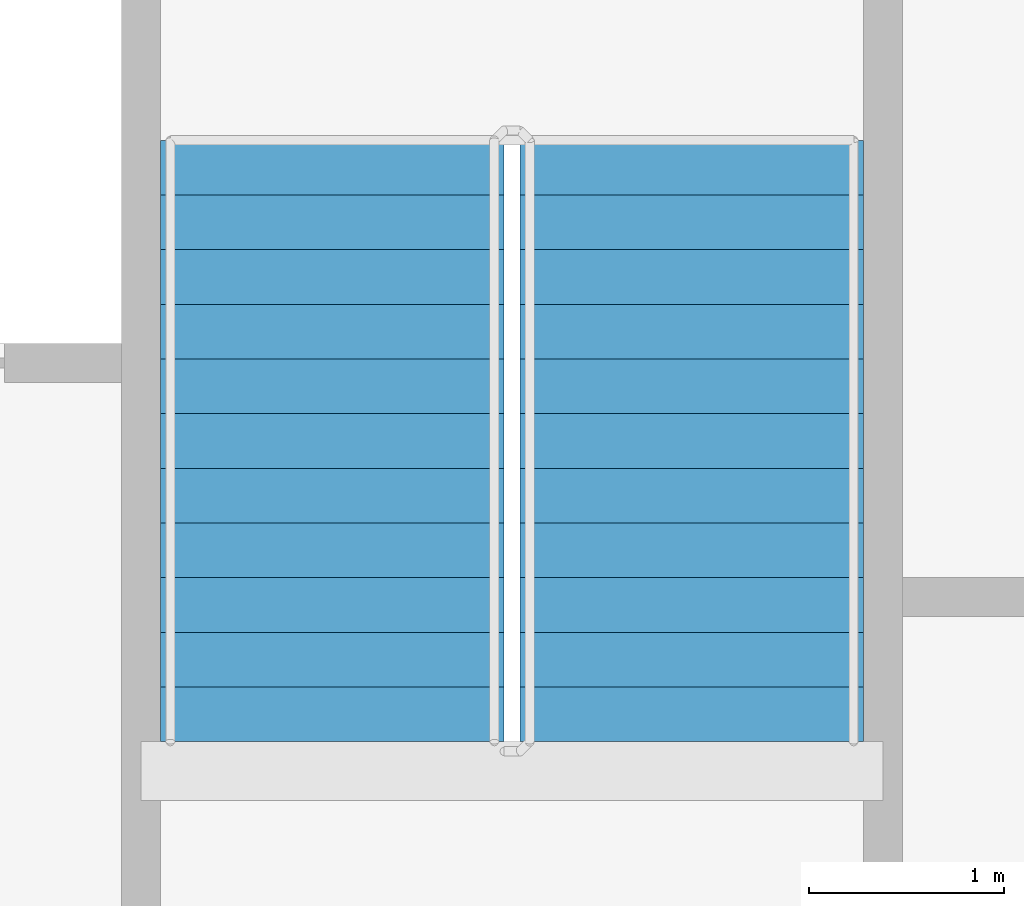
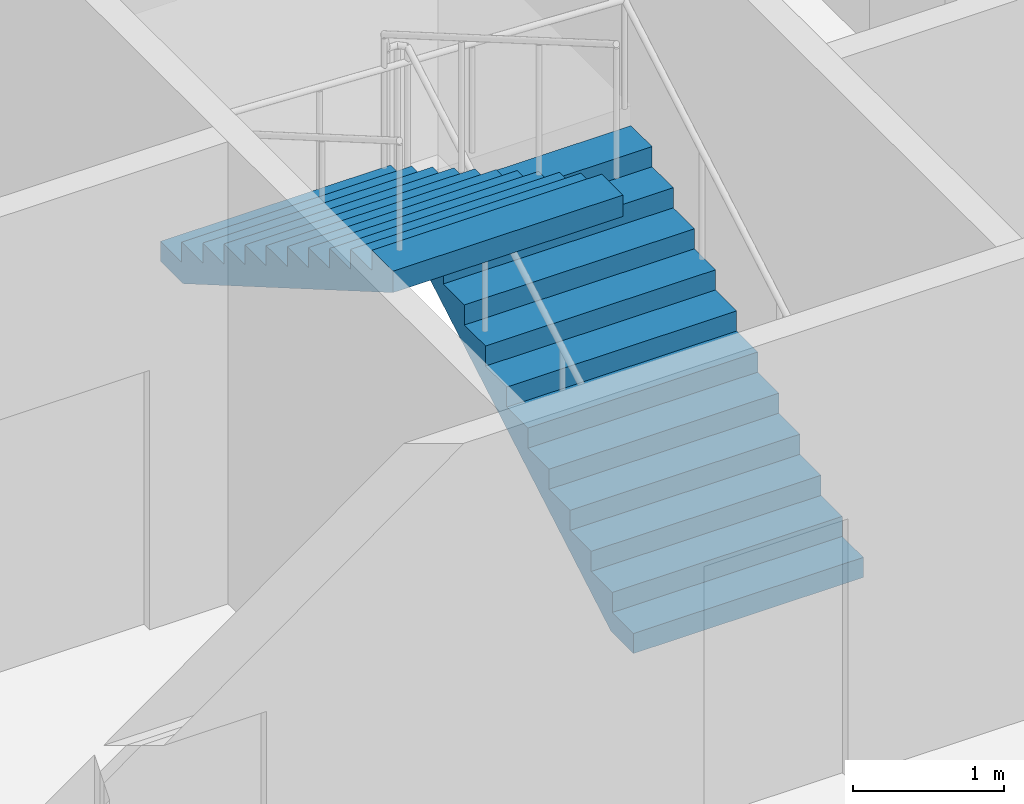
# One storey, part 10 of 15: 2 stair flights, 1 element without a shape of its own.
"""IFC4 building model written with IfcOpenShell, lengths in metres."""

from ifc_helpers import new_model, si_unit, direction, frame, origin, place, context, subcontext, project, spatial, faceted_brep, material, type_object, element, aggregate, save


model = new_model("IFC4")

# Units and contexts
model_context = context("Model", 3, precision=1e-05, world=origin(), true_north=direction((0.0, 1.0)))
body_context = subcontext(model_context, "Body", "Model", "MODEL_VIEW")
ifc_project = project(units=[si_unit("LENGTHUNIT", "METRE"), si_unit("AREAUNIT", "SQUARE_METRE"), si_unit("VOLUMEUNIT", "CUBIC_METRE"), si_unit("PLANEANGLEUNIT", "RADIAN"), si_unit("MASSUNIT", "GRAM", prefix="KILO")], contexts=[model_context])

# Site, building, storey
site_placement = place(None, origin())
site = spatial("IfcSite", under=ifc_project, at=site_placement, CompositionType="ELEMENT")
building_placement = place(site_placement, origin())
building = spatial("IfcBuilding", under=site, at=building_placement, Name="Tarsis Ring Headquarters", CompositionType="ELEMENT")
storey_placement = place(building_placement, frame((0.0, 0.0, 212.10009765625)))
storey = spatial("IfcBuildingStorey", under=building, at=storey_placement, Name="L49", CompositionType="ELEMENT", Elevation=212.10009765625)

# Stair, stair flights
ifc_material_1 = material(Name="Core stair 1760")
stair_type = type_object("IfcStairType", Name="Core stair 1760", PredefinedType="HALF_TURN_STAIR", material=ifc_material_1)
stair_placement = place(storey_placement, origin())
stair = element("IfcStair", 1, at=stair_placement, inside=storey, type_object=stair_type, Name="L49 Exit stair B", PredefinedType="HALF_TURN_STAIR")
ifc_material_2 = material(Name="Concrete C40/50", Category="concrete")
stair_flight_type = type_object("IfcStairFlightType", Name="Core stair flight 1760", PredefinedType="STRAIGHT", material=ifc_material_2)
stair_flight_1_placement = place(storey_placement, frame((5.419921875, 3.659912109375, 0.0), z_axis=(0.0, 0.0, 1.0), x_axis=(0.0, 1.0, 0.0)))
stair_flight_1 = element("IfcStairFlight", 2, at=stair_flight_1_placement, type_object=stair_flight_type, Name="Stair ST2 flight 1", NumberOfRisers=12, NumberOfTreads=11, PredefinedType="STRAIGHT", RiserHeight=0.1625, TreadLength=0.28, context=body_context, shape_type="Brep", body=[
    faceted_brep([(0.0, 0.8798828125, 0.0), (0.0, 0.8798828125, 0.16259765625), (0.280029296875, 0.8798828125, 0.16259765625), (0.280029296875, 0.8798828125, 0.324951171875), (0.56005859375, 0.8798828125, 0.324951171875), (0.56005859375, 0.8798828125, 0.487548828125), (0.840087890625, 0.8798828125, 0.487548828125), (0.840087890625, 0.8798828125, 0.64990234375), (1.1201171875, 0.8798828125, 0.64990234375), (1.1201171875, 0.8798828125, 0.8125), (1.39990234375, 0.8798828125, 0.8125), (1.39990234375, 0.8798828125, 0.97509765625), (1.679931640625, 0.8798828125, 0.97509765625), (1.679931640625, 0.8798828125, 1.137451171875), (1.9599609375, 0.8798828125, 1.137451171875), (1.9599609375, 0.8798828125, 1.300048828125), (2.239990234375, 0.8798828125, 1.300048828125), (2.239990234375, 0.8798828125, 1.46240234375), (2.52001953125, 0.8798828125, 1.46240234375), (2.52001953125, 0.8798828125, 1.625), (2.800048828125, 0.8798828125, 1.625), (2.800048828125, 0.8798828125, 1.78759765625), (3.080078125, 0.8798828125, 1.78759765625), (3.080078125, 0.8798828125, 1.6142578125), (0.298583984375, 0.8798828125, 0.0), (0.298583984375, -0.8798828125, 0.0), (3.080078125, -0.8798828125, 1.6142578125), (3.080078125, -0.8798828125, 1.78759765625), (2.800048828125, -0.8798828125, 1.78759765625), (2.800048828125, -0.8798828125, 1.625), (2.52001953125, -0.8798828125, 1.625), (2.52001953125, -0.8798828125, 1.46240234375), (2.239990234375, -0.8798828125, 1.46240234375), (2.239990234375, -0.8798828125, 1.300048828125), (1.9599609375, -0.8798828125, 1.300048828125), (1.9599609375, -0.8798828125, 1.137451171875), (1.679931640625, -0.8798828125, 1.137451171875), (1.679931640625, -0.8798828125, 0.97509765625), (1.39990234375, -0.8798828125, 0.97509765625), (1.39990234375, -0.8798828125, 0.8125), (1.1201171875, -0.8798828125, 0.8125), (1.1201171875, -0.8798828125, 0.64990234375), (0.840087890625, -0.8798828125, 0.64990234375), (0.840087890625, -0.8798828125, 0.487548828125), (0.56005859375, -0.8798828125, 0.487548828125), (0.56005859375, -0.8798828125, 0.324951171875), (0.280029296875, -0.8798828125, 0.324951171875), (0.280029296875, -0.8798828125, 0.16259765625), (0.0, -0.8798828125, 0.16259765625), (0.0, -0.8798828125, 0.0), (0.0, -0.43994140625, 0.16259765625), (0.0, -0.43994140625, 0.0), (0.0, 0.0, 0.16259765625), (0.0, 0.0, 0.0), (0.0, 0.43994140625, 0.16259765625), (0.0, 0.43994140625, 0.0), (0.280029296875, -0.43994140625, 0.16259765625), (0.280029296875, 0.0, 0.16259765625), (0.280029296875, 0.43994140625, 0.16259765625), (0.280029296875, -0.43994140625, 0.324951171875), (0.280029296875, 0.0, 0.324951171875), (0.280029296875, 0.43994140625, 0.324951171875), (0.56005859375, -0.43994140625, 0.324951171875), (0.56005859375, 0.0, 0.324951171875), (0.56005859375, 0.43994140625, 0.324951171875), (0.56005859375, -0.43994140625, 0.487548828125), (0.56005859375, 0.0, 0.487548828125), (0.56005859375, 0.43994140625, 0.487548828125), (0.840087890625, -0.43994140625, 0.487548828125), (0.840087890625, 0.0, 0.487548828125), (0.840087890625, 0.43994140625, 0.487548828125), (0.840087890625, -0.43994140625, 0.64990234375), (0.840087890625, 0.0, 0.64990234375), (0.840087890625, 0.43994140625, 0.64990234375), (1.1201171875, -0.43994140625, 0.64990234375), (1.1201171875, 0.0, 0.64990234375), (1.1201171875, 0.43994140625, 0.64990234375), (1.1201171875, -0.43994140625, 0.8125), (1.1201171875, 0.0, 0.8125), (1.1201171875, 0.43994140625, 0.8125), (1.39990234375, -0.43994140625, 0.8125), (1.39990234375, 0.0, 0.8125), (1.39990234375, 0.43994140625, 0.8125), (1.39990234375, -0.43994140625, 0.97509765625), (1.39990234375, 0.0, 0.97509765625), (1.39990234375, 0.43994140625, 0.97509765625), (1.679931640625, -0.43994140625, 0.97509765625), (1.679931640625, 0.0, 0.97509765625), (1.679931640625, 0.43994140625, 0.97509765625), (1.679931640625, -0.43994140625, 1.137451171875), (1.679931640625, 0.0, 1.137451171875), (1.679931640625, 0.43994140625, 1.137451171875), (1.9599609375, -0.43994140625, 1.137451171875), (1.9599609375, 0.0, 1.137451171875), (1.9599609375, 0.43994140625, 1.137451171875), (1.9599609375, -0.43994140625, 1.300048828125), (1.9599609375, 0.0, 1.300048828125), (1.9599609375, 0.43994140625, 1.300048828125), (2.239990234375, -0.43994140625, 1.300048828125), (2.239990234375, 0.0, 1.300048828125), (2.239990234375, 0.43994140625, 1.300048828125), (2.239990234375, -0.43994140625, 1.46240234375), (2.239990234375, 0.0, 1.46240234375), (2.239990234375, 0.43994140625, 1.46240234375), (2.52001953125, -0.43994140625, 1.46240234375), (2.52001953125, 0.0, 1.46240234375), (2.52001953125, 0.43994140625, 1.46240234375), (2.52001953125, -0.43994140625, 1.625), (2.52001953125, 0.0, 1.625), (2.52001953125, 0.43994140625, 1.625), (2.800048828125, -0.43994140625, 1.625), (2.800048828125, 0.0, 1.625), (2.800048828125, 0.43994140625, 1.625), (2.800048828125, -0.43994140625, 1.78759765625), (2.800048828125, 0.0, 1.78759765625), (2.800048828125, 0.43994140625, 1.78759765625), (3.080078125, -0.43994140625, 1.78759765625), (3.080078125, 0.0, 1.78759765625), (3.080078125, 0.43994140625, 1.78759765625), (3.080078125, -0.43994140625, 1.6142578125), (3.080078125, 0.0, 1.6142578125), (3.080078125, 0.43994140625, 1.6142578125), (0.298583984375, -0.43994140625, 0.0), (0.298583984375, 0.0, 0.0), (0.298583984375, 0.43994140625, 0.0)], [[[0, 1, 2, 3, 4, 5, 6, 7, 8, 9, 10, 11, 12, 13, 14, 15, 16, 17, 18, 19, 20, 21, 22, 23, 24]], [[25, 26, 27, 28, 29, 30, 31, 32, 33, 34, 35, 36, 37, 38, 39, 40, 41, 42, 43, 44, 45, 46, 47, 48, 49]], [[49, 48, 50, 51]], [[51, 50, 52, 53]], [[53, 52, 54, 55]], [[55, 54, 1, 0]], [[48, 47, 56, 50]], [[50, 56, 57, 52]], [[52, 57, 58, 54]], [[54, 58, 2, 1]], [[47, 46, 59, 56]], [[56, 59, 60, 57]], [[57, 60, 61, 58]], [[58, 61, 3, 2]], [[46, 45, 62, 59]], [[59, 62, 63, 60]], [[60, 63, 64, 61]], [[61, 64, 4, 3]], [[45, 44, 65, 62]], [[62, 65, 66, 63]], [[63, 66, 67, 64]], [[64, 67, 5, 4]], [[44, 43, 68, 65]], [[65, 68, 69, 66]], [[66, 69, 70, 67]], [[67, 70, 6, 5]], [[43, 42, 71, 68]], [[68, 71, 72, 69]], [[69, 72, 73, 70]], [[70, 73, 7, 6]], [[42, 41, 74, 71]], [[71, 74, 75, 72]], [[72, 75, 76, 73]], [[73, 76, 8, 7]], [[41, 40, 77, 74]], [[74, 77, 78, 75]], [[75, 78, 79, 76]], [[76, 79, 9, 8]], [[40, 39, 80, 77]], [[77, 80, 81, 78]], [[78, 81, 82, 79]], [[79, 82, 10, 9]], [[39, 38, 83, 80]], [[80, 83, 84, 81]], [[81, 84, 85, 82]], [[82, 85, 11, 10]], [[38, 37, 86, 83]], [[83, 86, 87, 84]], [[84, 87, 88, 85]], [[85, 88, 12, 11]], [[37, 36, 89, 86]], [[86, 89, 90, 87]], [[87, 90, 91, 88]], [[88, 91, 13, 12]], [[36, 35, 92, 89]], [[89, 92, 93, 90]], [[90, 93, 94, 91]], [[91, 94, 14, 13]], [[35, 34, 95, 92]], [[92, 95, 96, 93]], [[93, 96, 97, 94]], [[94, 97, 15, 14]], [[34, 33, 98, 95]], [[95, 98, 99, 96]], [[96, 99, 100, 97]], [[97, 100, 16, 15]], [[33, 32, 101, 98]], [[98, 101, 102, 99]], [[99, 102, 103, 100]], [[100, 103, 17, 16]], [[32, 31, 104, 101]], [[101, 104, 105, 102]], [[102, 105, 106, 103]], [[103, 106, 18, 17]], [[31, 30, 107, 104]], [[104, 107, 108, 105]], [[105, 108, 109, 106]], [[106, 109, 19, 18]], [[30, 29, 110, 107]], [[107, 110, 111, 108]], [[108, 111, 112, 109]], [[109, 112, 20, 19]], [[29, 28, 113, 110]], [[110, 113, 114, 111]], [[111, 114, 115, 112]], [[112, 115, 21, 20]], [[28, 27, 116, 113]], [[113, 116, 117, 114]], [[114, 117, 118, 115]], [[115, 118, 22, 21]], [[27, 26, 119, 116]], [[116, 119, 120, 117]], [[117, 120, 121, 118]], [[118, 121, 23, 22]], [[26, 25, 122, 119]], [[119, 122, 123, 120]], [[120, 123, 124, 121]], [[121, 124, 24, 23]], [[25, 49, 51, 122]], [[122, 51, 53, 123]], [[123, 53, 55, 124]], [[124, 55, 0, 24]]]),
])
stair_flight_2_placement = place(storey_placement, frame((3.580078125, 6.739990234375, 1.949951171875), z_axis=(0.0, 0.0, 1.0), x_axis=(0.0, -1.0, 0.0)))
stair_flight_2 = element("IfcStairFlight", 3, at=stair_flight_2_placement, type_object=stair_flight_type, Name="Stair ST2 flight 2", NumberOfRisers=12, NumberOfTreads=11, PredefinedType="STRAIGHT", RiserHeight=0.1625, TreadLength=0.28, context=body_context, shape_type="Brep", body=[
    faceted_brep([(0.0, 0.8798828125, 0.0), (0.0, 0.8798828125, 0.16259765625), (0.280029296875, 0.8798828125, 0.16259765625), (0.280029296875, 0.8798828125, 0.324951171875), (0.56005859375, 0.8798828125, 0.324951171875), (0.56005859375, 0.8798828125, 0.487548828125), (0.840087890625, 0.8798828125, 0.487548828125), (0.840087890625, 0.8798828125, 0.64990234375), (1.1201171875, 0.8798828125, 0.64990234375), (1.1201171875, 0.8798828125, 0.8125), (1.39990234375, 0.8798828125, 0.8125), (1.39990234375, 0.8798828125, 0.97509765625), (1.679931640625, 0.8798828125, 0.97509765625), (1.679931640625, 0.8798828125, 1.137451171875), (1.9599609375, 0.8798828125, 1.137451171875), (1.9599609375, 0.8798828125, 1.300048828125), (2.239990234375, 0.8798828125, 1.300048828125), (2.239990234375, 0.8798828125, 1.46240234375), (2.52001953125, 0.8798828125, 1.46240234375), (2.52001953125, 0.8798828125, 1.625), (2.800048828125, 0.8798828125, 1.625), (2.800048828125, 0.8798828125, 1.78759765625), (3.080078125, 0.8798828125, 1.78759765625), (3.080078125, 0.8798828125, 1.6142578125), (0.298583984375, 0.8798828125, 0.0), (0.298583984375, -0.8798828125, 0.0), (3.080078125, -0.8798828125, 1.6142578125), (3.080078125, -0.8798828125, 1.78759765625), (2.800048828125, -0.8798828125, 1.78759765625), (2.800048828125, -0.8798828125, 1.625), (2.52001953125, -0.8798828125, 1.625), (2.52001953125, -0.8798828125, 1.46240234375), (2.239990234375, -0.8798828125, 1.46240234375), (2.239990234375, -0.8798828125, 1.300048828125), (1.9599609375, -0.8798828125, 1.300048828125), (1.9599609375, -0.8798828125, 1.137451171875), (1.679931640625, -0.8798828125, 1.137451171875), (1.679931640625, -0.8798828125, 0.97509765625), (1.39990234375, -0.8798828125, 0.97509765625), (1.39990234375, -0.8798828125, 0.8125), (1.1201171875, -0.8798828125, 0.8125), (1.1201171875, -0.8798828125, 0.64990234375), (0.840087890625, -0.8798828125, 0.64990234375), (0.840087890625, -0.8798828125, 0.487548828125), (0.56005859375, -0.8798828125, 0.487548828125), (0.56005859375, -0.8798828125, 0.324951171875), (0.280029296875, -0.8798828125, 0.324951171875), (0.280029296875, -0.8798828125, 0.16259765625), (0.0, -0.8798828125, 0.16259765625), (0.0, -0.8798828125, 0.0), (0.0, -0.43994140625, 0.16259765625), (0.0, -0.43994140625, 0.0), (0.0, 0.0, 0.16259765625), (0.0, 0.0, 0.0), (0.0, 0.43994140625, 0.16259765625), (0.0, 0.43994140625, 0.0), (0.280029296875, -0.43994140625, 0.16259765625), (0.280029296875, 0.0, 0.16259765625), (0.280029296875, 0.43994140625, 0.16259765625), (0.280029296875, -0.43994140625, 0.324951171875), (0.280029296875, 0.0, 0.324951171875), (0.280029296875, 0.43994140625, 0.324951171875), (0.56005859375, -0.43994140625, 0.324951171875), (0.56005859375, 0.0, 0.324951171875), (0.56005859375, 0.43994140625, 0.324951171875), (0.56005859375, -0.43994140625, 0.487548828125), (0.56005859375, 0.0, 0.487548828125), (0.56005859375, 0.43994140625, 0.487548828125), (0.840087890625, -0.43994140625, 0.487548828125), (0.840087890625, 0.0, 0.487548828125), (0.840087890625, 0.43994140625, 0.487548828125), (0.840087890625, -0.43994140625, 0.64990234375), (0.840087890625, 0.0, 0.64990234375), (0.840087890625, 0.43994140625, 0.64990234375), (1.1201171875, -0.43994140625, 0.64990234375), (1.1201171875, 0.0, 0.64990234375), (1.1201171875, 0.43994140625, 0.64990234375), (1.1201171875, -0.43994140625, 0.8125), (1.1201171875, 0.0, 0.8125), (1.1201171875, 0.43994140625, 0.8125), (1.39990234375, -0.43994140625, 0.8125), (1.39990234375, 0.0, 0.8125), (1.39990234375, 0.43994140625, 0.8125), (1.39990234375, -0.43994140625, 0.97509765625), (1.39990234375, 0.0, 0.97509765625), (1.39990234375, 0.43994140625, 0.97509765625), (1.679931640625, -0.43994140625, 0.97509765625), (1.679931640625, 0.0, 0.97509765625), (1.679931640625, 0.43994140625, 0.97509765625), (1.679931640625, -0.43994140625, 1.137451171875), (1.679931640625, 0.0, 1.137451171875), (1.679931640625, 0.43994140625, 1.137451171875), (1.9599609375, -0.43994140625, 1.137451171875), (1.9599609375, 0.0, 1.137451171875), (1.9599609375, 0.43994140625, 1.137451171875), (1.9599609375, -0.43994140625, 1.300048828125), (1.9599609375, 0.0, 1.300048828125), (1.9599609375, 0.43994140625, 1.300048828125), (2.239990234375, -0.43994140625, 1.300048828125), (2.239990234375, 0.0, 1.300048828125), (2.239990234375, 0.43994140625, 1.300048828125), (2.239990234375, -0.43994140625, 1.46240234375), (2.239990234375, 0.0, 1.46240234375), (2.239990234375, 0.43994140625, 1.46240234375), (2.52001953125, -0.43994140625, 1.46240234375), (2.52001953125, 0.0, 1.46240234375), (2.52001953125, 0.43994140625, 1.46240234375), (2.52001953125, -0.43994140625, 1.625), (2.52001953125, 0.0, 1.625), (2.52001953125, 0.43994140625, 1.625), (2.800048828125, -0.43994140625, 1.625), (2.800048828125, 0.0, 1.625), (2.800048828125, 0.43994140625, 1.625), (2.800048828125, -0.43994140625, 1.78759765625), (2.800048828125, 0.0, 1.78759765625), (2.800048828125, 0.43994140625, 1.78759765625), (3.080078125, -0.43994140625, 1.78759765625), (3.080078125, 0.0, 1.78759765625), (3.080078125, 0.43994140625, 1.78759765625), (3.080078125, -0.43994140625, 1.6142578125), (3.080078125, 0.0, 1.6142578125), (3.080078125, 0.43994140625, 1.6142578125), (0.298583984375, -0.43994140625, 0.0), (0.298583984375, 0.0, 0.0), (0.298583984375, 0.43994140625, 0.0)], [[[0, 1, 2, 3, 4, 5, 6, 7, 8, 9, 10, 11, 12, 13, 14, 15, 16, 17, 18, 19, 20, 21, 22, 23, 24]], [[25, 26, 27, 28, 29, 30, 31, 32, 33, 34, 35, 36, 37, 38, 39, 40, 41, 42, 43, 44, 45, 46, 47, 48, 49]], [[49, 48, 50, 51]], [[51, 50, 52, 53]], [[53, 52, 54, 55]], [[55, 54, 1, 0]], [[48, 47, 56, 50]], [[50, 56, 57, 52]], [[52, 57, 58, 54]], [[54, 58, 2, 1]], [[47, 46, 59, 56]], [[56, 59, 60, 57]], [[57, 60, 61, 58]], [[58, 61, 3, 2]], [[46, 45, 62, 59]], [[59, 62, 63, 60]], [[60, 63, 64, 61]], [[61, 64, 4, 3]], [[45, 44, 65, 62]], [[62, 65, 66, 63]], [[63, 66, 67, 64]], [[64, 67, 5, 4]], [[44, 43, 68, 65]], [[65, 68, 69, 66]], [[66, 69, 70, 67]], [[67, 70, 6, 5]], [[43, 42, 71, 68]], [[68, 71, 72, 69]], [[69, 72, 73, 70]], [[70, 73, 7, 6]], [[42, 41, 74, 71]], [[71, 74, 75, 72]], [[72, 75, 76, 73]], [[73, 76, 8, 7]], [[41, 40, 77, 74]], [[74, 77, 78, 75]], [[75, 78, 79, 76]], [[76, 79, 9, 8]], [[40, 39, 80, 77]], [[77, 80, 81, 78]], [[78, 81, 82, 79]], [[79, 82, 10, 9]], [[39, 38, 83, 80]], [[80, 83, 84, 81]], [[81, 84, 85, 82]], [[82, 85, 11, 10]], [[38, 37, 86, 83]], [[83, 86, 87, 84]], [[84, 87, 88, 85]], [[85, 88, 12, 11]], [[37, 36, 89, 86]], [[86, 89, 90, 87]], [[87, 90, 91, 88]], [[88, 91, 13, 12]], [[36, 35, 92, 89]], [[89, 92, 93, 90]], [[90, 93, 94, 91]], [[91, 94, 14, 13]], [[35, 34, 95, 92]], [[92, 95, 96, 93]], [[93, 96, 97, 94]], [[94, 97, 15, 14]], [[34, 33, 98, 95]], [[95, 98, 99, 96]], [[96, 99, 100, 97]], [[97, 100, 16, 15]], [[33, 32, 101, 98]], [[98, 101, 102, 99]], [[99, 102, 103, 100]], [[100, 103, 17, 16]], [[32, 31, 104, 101]], [[101, 104, 105, 102]], [[102, 105, 106, 103]], [[103, 106, 18, 17]], [[31, 30, 107, 104]], [[104, 107, 108, 105]], [[105, 108, 109, 106]], [[106, 109, 19, 18]], [[30, 29, 110, 107]], [[107, 110, 111, 108]], [[108, 111, 112, 109]], [[109, 112, 20, 19]], [[29, 28, 113, 110]], [[110, 113, 114, 111]], [[111, 114, 115, 112]], [[112, 115, 21, 20]], [[28, 27, 116, 113]], [[113, 116, 117, 114]], [[114, 117, 118, 115]], [[115, 118, 22, 21]], [[27, 26, 119, 116]], [[116, 119, 120, 117]], [[117, 120, 121, 118]], [[118, 121, 23, 22]], [[26, 25, 122, 119]], [[119, 122, 123, 120]], [[120, 123, 124, 121]], [[121, 124, 24, 23]], [[25, 49, 51, 122]], [[122, 51, 53, 123]], [[123, 53, 55, 124]], [[124, 55, 0, 24]]]),
])
aggregate(stair, [stair_flight_1, stair_flight_2])

save(model, "model.ifc")
